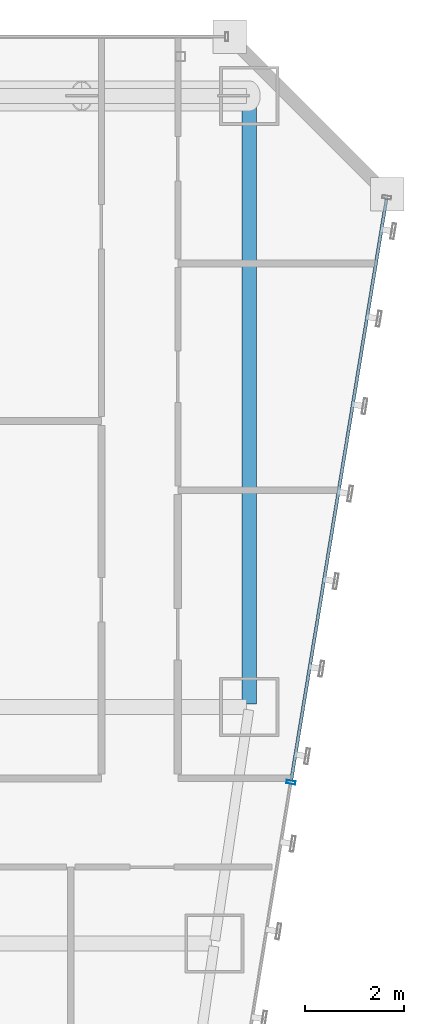
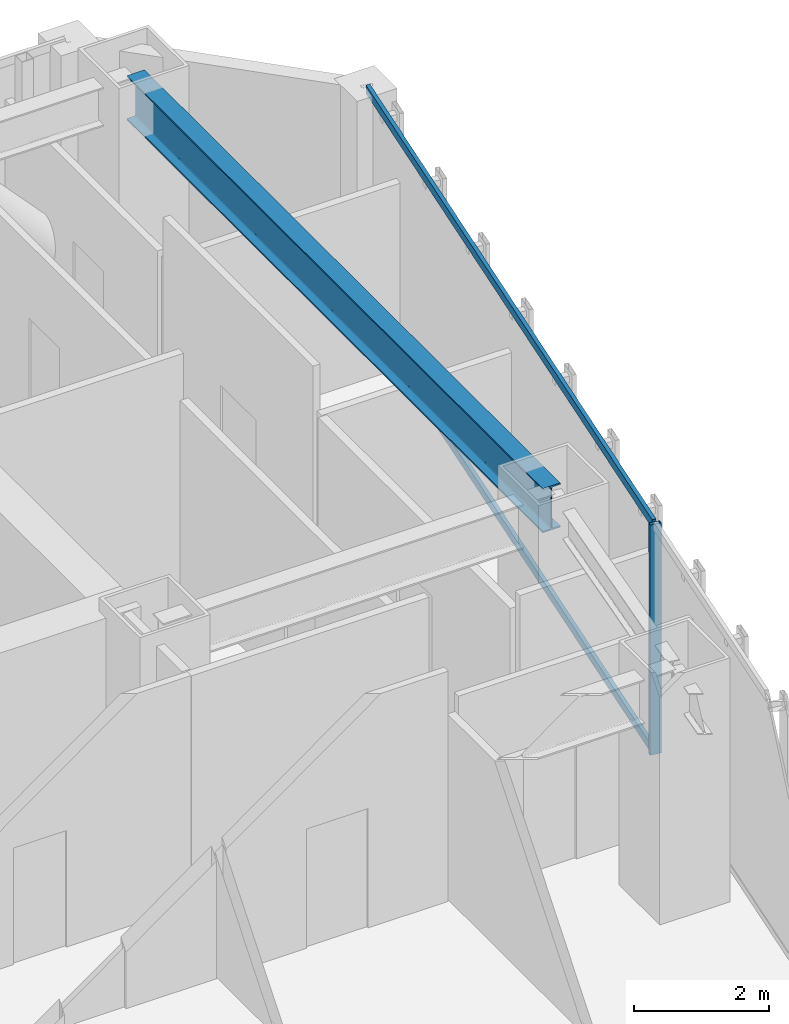
# One storey, part 31 of 47: 3 members, 1 beam, 1 element without a shape of its own.
"""IFC4 building model written with IfcOpenShell, lengths in metres."""

from ifc_helpers import new_model, si_unit, direction, frame, origin, origin_2d, place, context, subcontext, project, spatial, hollow_rectangle, i_section, extrude, material, material_profile, profile_set, type_object, element, aggregate, save


model = new_model("IFC4")

# Units and contexts
model_context = context("Model", 3, precision=1e-05, world=origin(), true_north=direction((0.0, 1.0)))
body_context = subcontext(model_context, "Body", "Model", "MODEL_VIEW")
ifc_project = project(units=[si_unit("LENGTHUNIT", "METRE"), si_unit("AREAUNIT", "SQUARE_METRE"), si_unit("VOLUMEUNIT", "CUBIC_METRE"), si_unit("PLANEANGLEUNIT", "RADIAN"), si_unit("MASSUNIT", "GRAM", prefix="KILO")], contexts=[model_context])

# Site, building, storey
site_placement = place(None, origin())
site = spatial("IfcSite", under=ifc_project, at=site_placement, CompositionType="ELEMENT")
building_placement = place(site_placement, origin())
building = spatial("IfcBuilding", under=site, at=building_placement, Name="Saevonmaru Cultural Tower", CompositionType="ELEMENT")
storey_placement = place(building_placement, frame((0.0, 0.0, 92.800048828125)))
storey = spatial("IfcBuildingStorey", under=building, at=storey_placement, Name="L19", CompositionType="ELEMENT", Elevation=92.800048828125)

# Beam
ifc_material_1 = material(Name="Steel SM420", Category="steel")
ifc_material_profile_1 = material_profile(ifc_material_1, i_section(OverallWidth=0.300048828125, OverallDepth=0.800048828125, WebThickness=0.013916015625, FlangeThickness=0.02587890625, FilletRadius=0.028076171875, at=origin_2d()), Name="H-800x300x14x26")
ifc_profile_set_1 = profile_set([ifc_material_profile_1], Name="Steel SM420")
beam_type = type_object("IfcBeamType", Name="BM-G-H800", PredefinedType="BEAM", material=ifc_profile_set_1)
beam_placement = place(storey_placement, frame((53.199951171875, 54.739990234375, 3.75), z_axis=(0.0, -1.0, 0.0), x_axis=(1.0, 0.0, 0.0)))
element("IfcBeam", 1, at=beam_placement, inside=storey, type_object=beam_type, Name="L19 Spine Transverse Girder E", PredefinedType="BEAM", context=body_context, shape_type="SweptSolid", body=[
    extrude(i_section(OverallWidth=0.300048828125, OverallDepth=0.800048828125, WebThickness=0.013916015625, FlangeThickness=0.02587890625, FilletRadius=0.028076171875, at=origin_2d()), origin(), (0.0, 0.0, 1.0), 12.280029296875),
])

# Curtain wall, members
ifc_material_2 = material(Name="Satin Bronze Anodised Aluminium", Category="aluminium")
curtain_wall_type = type_object("IfcCurtainWallType", Name="CW-TYP-A", PredefinedType="NOTDEFINED", material=ifc_material_2)
curtain_wall_placement = place(storey_placement, origin())
curtain_wall = element("IfcCurtainWall", 2, at=curtain_wall_placement, inside=storey, type_object=curtain_wall_type, Name="L19 Unitised Curtain Wall E8", PredefinedType="NOTDEFINED")
ifc_material_profile_2 = material_profile(ifc_material_2, hollow_rectangle(XDim=0.06494140625, YDim=0.179931640625, WallThickness=0.00390625, at=origin_2d()), Name="ALU-MULL-180x65x4")
ifc_profile_set_2 = profile_set([ifc_material_profile_2], Name="Satin Bronze Anodised Aluminium")
member_type_1 = type_object("IfcMemberType", Name="ML-CW-180x65", PredefinedType="MULLION", material=ifc_profile_set_2)
member_1_placement = place(storey_placement, frame((54.045166015625, 40.870361328125, 0.0), z_axis=(0.0, 0.0, 1.0), x_axis=(0.161708868641, 0.986838508472, 0.0)))
member_1 = element("IfcMember", 3, at=member_1_placement, type_object=member_type_1, Name="CW-TW-L19-E8 mullion 4", PredefinedType="MULLION", context=body_context, shape_type="SweptSolid", body=[
    extrude(hollow_rectangle(XDim=0.06494140625, YDim=0.179931640625, WallThickness=0.00390625, at=origin_2d()), origin(), (0.0, 0.0, 1.0), 4.14990234375),
])
ifc_material_profile_3 = material_profile(ifc_material_2, hollow_rectangle(XDim=0.06494140625, YDim=0.14990234375, WallThickness=0.00390625, at=origin_2d()), Name="ALU-TRAN-150x65x4")
ifc_profile_set_3 = profile_set([ifc_material_profile_3], Name="Satin Bronze Anodised Aluminium")
member_type_2 = type_object("IfcMemberType", Name="TR-CW-150x65", PredefinedType="USERDEFINED", material=ifc_profile_set_3)
member_2_placement = place(storey_placement, frame((54.05029296875, 40.902587890625, 0.032470703125), z_axis=(0.161724530373, 0.986835941925, 0.0), x_axis=(-0.986835941925, 0.161724530373, 0.0)))
member_2 = element("IfcMember", 4, at=member_2_placement, type_object=member_type_2, Name="CW-TW-L19-E8 transom 4.1", ObjectType="TRANSOM", PredefinedType="USERDEFINED", context=body_context, shape_type="SweptSolid", body=[
    extrude(hollow_rectangle(XDim=0.06494140625, YDim=0.14990234375, WallThickness=0.00390625, at=origin_2d()), origin(), (0.0, 0.0, 1.0), 11.963623046875),
])
member_3_placement = place(storey_placement, frame((54.05029296875, 40.902587890625, 4.117431640625), z_axis=(0.161724530373, 0.986835941925, 0.0), x_axis=(-0.986835941925, 0.161724530373, 0.0)))
member_3 = element("IfcMember", 5, at=member_3_placement, type_object=member_type_2, Name="CW-TW-L19-E8 transom 4.2", ObjectType="TRANSOM", PredefinedType="USERDEFINED", context=body_context, shape_type="SweptSolid", body=[
    extrude(hollow_rectangle(XDim=0.06494140625, YDim=0.14990234375, WallThickness=0.00390625, at=origin_2d()), origin(), (0.0, 0.0, 1.0), 11.963623046875),
])
aggregate(curtain_wall, [member_1, member_2, member_3])

save(model, "model.ifc")
